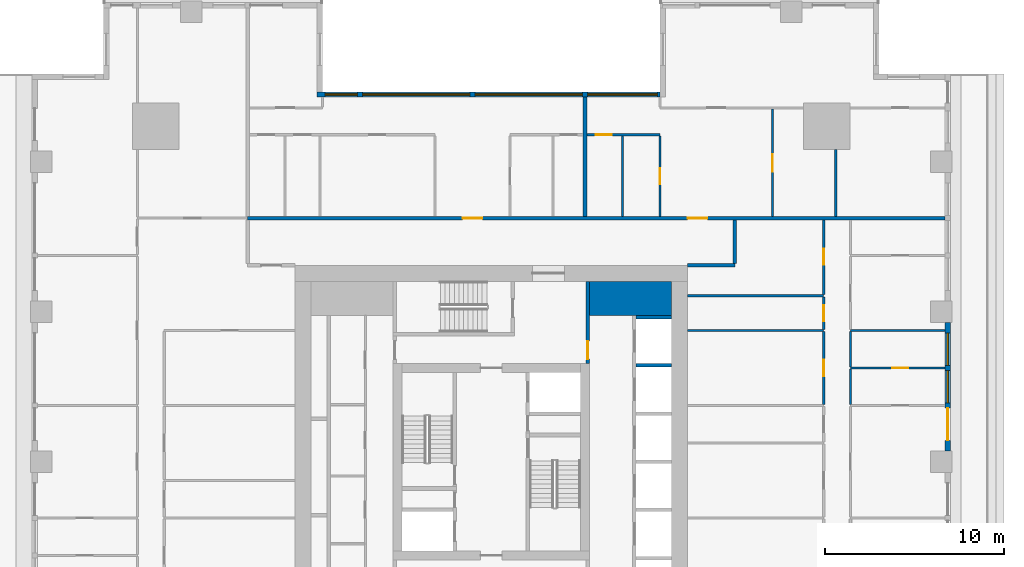
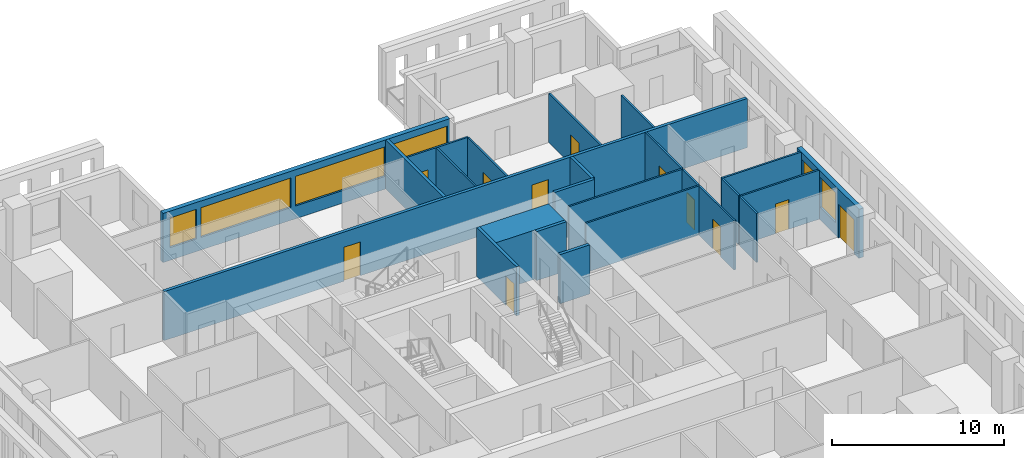
# One storey, part 8 of 15: 24 walls, 11 doors, 6 windows, 17 openings.
"""IFC4 building model written with IfcOpenShell, lengths in metres."""

from ifc_helpers import new_model, si_unit, direction, frame, frame_2d, origin, place, context, subcontext, project, spatial, rectangle, extrude, material, layer, layer_set, type_object, element, fill, save


model = new_model("IFC4")

# Units and contexts
model_context = context("Model", 3, precision=1e-05, world=origin(), true_north=direction((0.0, 1.0)))
body_context = subcontext(model_context, "Body", "Model", "MODEL_VIEW")
ifc_project = project(units=[si_unit("LENGTHUNIT", "METRE"), si_unit("AREAUNIT", "SQUARE_METRE"), si_unit("VOLUMEUNIT", "CUBIC_METRE"), si_unit("PLANEANGLEUNIT", "RADIAN"), si_unit("MASSUNIT", "GRAM", prefix="KILO")], contexts=[model_context])

# Site, building, storey
site_placement = place(None, origin())
site = spatial("IfcSite", under=ifc_project, at=site_placement, CompositionType="ELEMENT")
building_placement = place(site_placement, origin())
building = spatial("IfcBuilding", under=site, at=building_placement, Name="Khepri Terraces", CompositionType="ELEMENT")
storey_placement = place(building_placement, frame((0.0, 0.0, 161.10009765625)))
storey = spatial("IfcBuildingStorey", under=building, at=storey_placement, Name="L38", CompositionType="ELEMENT", Elevation=161.10009765625)

# Walls
ifc_material_1 = material(Name="Concrete C60/75", Category="concrete")
ifc_layer_1 = layer(ifc_material_1, 1.89990234375, Name="Concrete C60/75", Category="concrete")
ifc_layer_set_1 = layer_set([ifc_layer_1], Name="Concrete C60/75")
wall_type_1 = type_object("IfcWallType", Name="Core wall 1900 C60/75", PredefinedType="SHEAR", material=ifc_layer_set_1)
wall_1_placement = place(storey_placement, frame((5.5, 9.14990234375, 0.0), z_axis=(0.0, 0.0, 1.0), x_axis=(1.0, 0.0, 0.0)))
element("IfcWall", 1, at=wall_1_placement, inside=storey, type_object=wall_type_1, Name="Core wall PR04 L38", PredefinedType="SHEAR", context=body_context, shape_type="SweptSolid", body=[
    extrude(rectangle(XDim=4.60009765625, YDim=1.89990234375, at=frame_2d((2.300048828125, 0.0))), origin(), (0.0, 0.0, 1.0), 3.47998046875),
])
ifc_layer_2 = layer(ifc_material_1, 0.199951171875, Name="Concrete C60/75", Category="concrete")
ifc_layer_set_2 = layer_set([ifc_layer_2], Name="Concrete C60/75")
wall_type_2 = type_object("IfcWallType", Name="Core wall 200 C60/75", PredefinedType="SHEAR", material=ifc_layer_set_2)
for number, where, z_axis, x_axis, name in (
    (2, (8.10009765625, 5.39990234375, 0.0), (0.0, 0.0, 1.0), (1.0, 0.0, 0.0), "Core wall SH14 L38"),
    (3, (8.10009765625, 8.10009765625, 0.0), (0.0, 0.0, 1.0), (1.0, 0.0, 0.0), "Core wall SH15 L38"),
):
    element("IfcWall", number, at=place(storey_placement, frame(where, z_axis=z_axis, x_axis=x_axis)), inside=storey, type_object=wall_type_2, Name=name, PredefinedType="SHEAR", context=body_context, shape_type="SweptSolid", body=[
        extrude(rectangle(XDim=2.0, YDim=0.199951171875, at=frame_2d((1.0, 0.0))), origin(), (0.0, 0.0, 1.0), 3.47998046875),
    ])

# Wall, opening, door
ifc_material_2 = material(Name="Fire-rated gypsum board partition")
ifc_layer_3 = layer(ifc_material_2, 0.199951171875, Name="Fire-rated gypsum board partition")
ifc_layer_set_3 = layer_set([ifc_layer_3], Name="Fire-rated gypsum board partition")
wall_type_3 = type_object("IfcWallType", Name="WL-CORE-PART-200", PredefinedType="PARTITIONING", material=ifc_layer_set_3)
wall_2_placement = place(storey_placement, frame((5.39990234375, 5.5, 0.0), z_axis=(0.0, 0.0, 1.0), x_axis=(0.0, 1.0, 0.0)))
wall_2 = element("IfcWall", 4, at=wall_2_placement, inside=storey, type_object=wall_type_3, Name="Core partition PT12 L38", PredefinedType="PARTITIONING", context=body_context, shape_type="SweptSolid", body=[
    extrude(rectangle(XDim=4.60009765625, YDim=0.199951171875, at=frame_2d((2.300048828125, 0.0))), origin(), (0.0, 0.0, 1.0), 3.47998046875),
])
opening_1_placement = place(wall_2_placement, frame((0.25, 0.0, 0.0)))
opening_1 = element("IfcOpeningElement", 5, at=opening_1_placement, cuts=wall_2, Name="Opening L38-C17", PredefinedType="OPENING", context=body_context, shape_type="SweptSolid", body=[
    extrude(rectangle(XDim=1.0, YDim=2.10009765625, at=frame_2d((0.5, 1.050048828125))), frame((0.0, 0.10986328125, 0.0), z_axis=(0.0, -1.0, 0.0), x_axis=(1.0, 0.0, 0.0)), (0.0, 0.0, 1.0), 0.219970703125),
])
ifc_material_3 = material(Name="Painted steel", Category="steel")
door_type_1 = type_object("IfcDoorType", Name="DR-CORE-LOBBY-1000", OperationType="NOTDEFINED", PredefinedType="DOOR", material=ifc_material_3)
door_1_placement = place(opening_1_placement, origin())
door_1 = element("IfcDoor", 6, at=door_1_placement, inside=storey, type_object=door_type_1, Name="Lobby door L38-C17", OperationType="SINGLE_SWING_LEFT", OverallHeight=2.10009765625, OverallWidth=1.0, PredefinedType="DOOR", context=body_context, shape_type="SweptSolid", body=[
    extrude(rectangle(XDim=1.0, YDim=2.10009765625, at=frame_2d((0.5, 1.050048828125))), frame((0.0, 0.02490234375, 0.0), z_axis=(0.0, -1.0, 0.0), x_axis=(1.0, 0.0, 0.0)), (0.0, 0.0, 1.0), 0.050048828125),
])
fill(opening_1, door_1)

# Walls
ifc_material_4 = material(Name="Fire-rated gypsum plasterboard partition, mineral wool")
ifc_layer_4 = layer(ifc_material_4, 0.199951171875, Name="Fire-rated gypsum plasterboard partition, mineral wool")
ifc_layer_set_4 = layer_set([ifc_layer_4], Name="Fire-rated gypsum plasterboard partition, mineral wool")
wall_type_4 = type_object("IfcWallType", Name="WL-CORR-200", PredefinedType="PARTITIONING", material=ifc_layer_set_4)
wall_3_placement = place(storey_placement, frame((11.0, 11.0, 0.0), z_axis=(0.0, 0.0, 1.0), x_axis=(1.0, 0.0, 0.0)))
element("IfcWall", 7, at=wall_3_placement, inside=storey, type_object=wall_type_4, Name="Partition P-076 L38", PredefinedType="PARTITIONING", context=body_context, shape_type="SweptSolid", body=[
    extrude(rectangle(XDim=2.64990234375, YDim=0.199951171875, at=frame_2d((1.324951171875, 0.0))), origin(), (0.0, 0.0, 1.0), 3.47998046875),
])
wall_4_placement = place(storey_placement, frame((13.64990234375, 11.10009765625, 0.0), z_axis=(0.0, 0.0, 1.0), x_axis=(0.0, 1.0, 0.0)))
element("IfcWall", 8, at=wall_4_placement, inside=storey, type_object=wall_type_4, Name="Partition P-078 L38", PredefinedType="PARTITIONING", context=body_context, shape_type="SweptSolid", body=[
    extrude(rectangle(XDim=2.449951171875, YDim=0.199951171875, at=frame_2d((1.22509765625, 0.0))), origin(), (0.0, 0.0, 1.0), 3.47998046875),
])

# Wall, openings, doors
wall_5_placement = place(storey_placement, frame((-13.64990234375, 13.64990234375, 0.0), z_axis=(0.0, 0.0, 1.0), x_axis=(1.0, 0.0, 0.0)))
wall_5 = element("IfcWall", 9, at=wall_5_placement, inside=storey, type_object=wall_type_4, Name="Partition P-084 L38", PredefinedType="PARTITIONING", context=body_context, shape_type="SweptSolid", body=[
    extrude(rectangle(XDim=39.06982421875, YDim=0.199951171875, at=frame_2d((19.534912109375, 0.0))), origin(), (0.0, 0.0, 1.0), 3.47998046875),
])
opening_2_placement = place(wall_5_placement, frame((24.64990234375, 0.0, 0.0)))
opening_2 = element("IfcOpeningElement", 10, at=opening_2_placement, cuts=wall_5, Name="Opening D1", PredefinedType="OPENING", context=body_context, shape_type="SweptSolid", body=[
    extrude(rectangle(XDim=1.10009765625, YDim=2.39990234375, at=frame_2d((0.550048828125, 1.199951171875))), frame((0.0, 0.10986328125, 0.0), z_axis=(0.0, -1.0, 0.0), x_axis=(1.0, 0.0, 0.0)), (0.0, 0.0, 1.0), 0.219970703125),
])
opening_3_placement = place(wall_5_placement, frame((12.050048828125, 0.0, 0.0)))
opening_3 = element("IfcOpeningElement", 11, at=opening_3_placement, cuts=wall_5, Name="Opening D1", PredefinedType="OPENING", context=body_context, shape_type="SweptSolid", body=[
    extrude(rectangle(XDim=1.10009765625, YDim=2.39990234375, at=frame_2d((0.550048828125, 1.199951171875))), frame((0.0, 0.10986328125, 0.0), z_axis=(0.0, -1.0, 0.0), x_axis=(1.0, 0.0, 0.0)), (0.0, 0.0, 1.0), 0.219970703125),
])
ifc_material_5 = material(Name="Solid-core timber door leaf, flat entrance door", Category="wood")
door_type_2 = type_object("IfcDoorType", Name="DR-ENT-1100", OperationType="NOTDEFINED", PredefinedType="DOOR", material=ifc_material_5)
door_2_placement = place(opening_2_placement, origin())
door_2 = element("IfcDoor", 12, at=door_2_placement, inside=storey, type_object=door_type_2, Name="Flat C1 entrance door", OperationType="SINGLE_SWING_RIGHT", OverallHeight=2.39990234375, OverallWidth=1.10009765625, PredefinedType="DOOR", context=body_context, shape_type="SweptSolid", body=[
    extrude(rectangle(XDim=1.10009765625, YDim=2.39990234375, at=frame_2d((0.550048828125, 1.199951171875))), frame((0.0, 0.02490234375, 0.0), z_axis=(0.0, -1.0, 0.0), x_axis=(1.0, 0.0, 0.0)), (0.0, 0.0, 1.0), 0.050048828125),
])
fill(opening_2, door_2)
door_3_placement = place(opening_3_placement, origin())
door_3 = element("IfcDoor", 13, at=door_3_placement, inside=storey, type_object=door_type_2, Name="Flat C2 entrance door", OperationType="SINGLE_SWING_LEFT", OverallHeight=2.39990234375, OverallWidth=1.10009765625, PredefinedType="DOOR", context=body_context, shape_type="SweptSolid", body=[
    extrude(rectangle(XDim=1.10009765625, YDim=2.39990234375, at=frame_2d((0.550048828125, 1.199951171875))), frame((0.0, 0.02490234375, 0.0), z_axis=(0.0, -1.0, 0.0), x_axis=(1.0, 0.0, 0.0)), (0.0, 0.0, 1.0), 0.050048828125),
])
fill(opening_3, door_3)

# Wall
wall_6_placement = place(storey_placement, frame((5.25, 13.75, 0.0), z_axis=(0.0, 0.0, 1.0), x_axis=(0.0, 1.0, 0.0)))
element("IfcWall", 14, at=wall_6_placement, inside=storey, type_object=wall_type_4, Name="Partition P-092 L38", PredefinedType="PARTITIONING", context=body_context, shape_type="SweptSolid", body=[
    extrude(rectangle(XDim=6.669921875, YDim=0.199951171875, at=frame_2d((3.3349609375, 0.0))), origin(), (0.0, 0.0, 1.0), 3.47998046875),
])

# Wall, openings, door, windows
ifc_material_6 = material(Name="Precast concrete C50/60 warm stone", Category="masonry")
ifc_layer_5 = layer(ifc_material_6, 0.300048828125, Name="Precast concrete C50/60 warm stone", Category="masonry")
ifc_layer_set_5 = layer_set([ifc_layer_5], Name="Precast concrete C50/60 warm stone")
wall_type_5 = type_object("IfcWallType", Name="WL-EXT-PRECAST-300", PredefinedType="STANDARD", material=ifc_layer_set_5)
wall_7_placement = place(storey_placement, frame((25.570068359375, 0.60009765625, 0.0), z_axis=(0.0, 0.0, 1.0), x_axis=(0.0, 1.0, 0.0)))
wall_7 = element("IfcWall", 15, at=wall_7_placement, inside=storey, type_object=wall_type_5, Name="External wall L38 E", PredefinedType="STANDARD", context=body_context, shape_type="SweptSolid", body=[
    extrude(rectangle(XDim=7.199951171875, YDim=0.300048828125, at=frame_2d((3.60009765625, 0.0))), origin(), (0.0, 0.0, 1.0), 3.47998046875),
])
opening_4_placement = place(wall_7_placement, frame((0.60009765625, 0.0, 0.0)))
opening_4 = element("IfcOpeningElement", 16, at=opening_4_placement, cuts=wall_7, Name="Opening ED-L38-06", PredefinedType="OPENING", context=body_context, shape_type="SweptSolid", body=[
    extrude(rectangle(XDim=1.800048828125, YDim=2.39990234375, at=frame_2d((0.89990234375, 1.199951171875))), frame((0.0, 0.16015625, 0.0), z_axis=(0.0, -1.0, 0.0), x_axis=(1.0, 0.0, 0.0)), (0.0, 0.0, 1.0), 0.320068359375),
])
opening_5_placement = place(wall_7_placement, frame((2.699951171875, 0.0, 0.89990234375)))
opening_5 = element("IfcOpeningElement", 17, at=opening_5_placement, cuts=wall_7, Name="Opening W1", PredefinedType="OPENING", context=body_context, shape_type="SweptSolid", body=[
    extrude(rectangle(XDim=1.800048828125, YDim=2.10009765625, at=frame_2d((0.89990234375, 1.050048828125))), frame((0.0, 0.16015625, 0.0), z_axis=(0.0, -1.0, 0.0), x_axis=(1.0, 0.0, 0.0)), (0.0, 0.0, 1.0), 0.320068359375),
])
opening_6_placement = place(wall_7_placement, frame((4.800048828125, 0.0, 0.89990234375)))
opening_6 = element("IfcOpeningElement", 18, at=opening_6_placement, cuts=wall_7, Name="Opening W1", PredefinedType="OPENING", context=body_context, shape_type="SweptSolid", body=[
    extrude(rectangle(XDim=1.800048828125, YDim=2.10009765625, at=frame_2d((0.89990234375, 1.050048828125))), frame((0.0, 0.16015625, 0.0), z_axis=(0.0, -1.0, 0.0), x_axis=(1.0, 0.0, 0.0)), (0.0, 0.0, 1.0), 0.320068359375),
])
ifc_material_7 = material(Name="Anodised aluminium bronze glazed door", Category="aluminium")
door_type_3 = type_object("IfcDoorType", Name="DR-BAL-SLIDE-1800x2400", OperationType="NOTDEFINED", PredefinedType="DOOR", material=ifc_material_7)
door_4_placement = place(opening_4_placement, origin())
door_4 = element("IfcDoor", 19, at=door_4_placement, inside=storey, type_object=door_type_3, Name="Balcony door L38 E", OperationType="SLIDING_TO_LEFT", OverallHeight=2.39990234375, OverallWidth=1.800048828125, PredefinedType="DOOR", context=body_context, shape_type="SweptSolid", body=[
    extrude(rectangle(XDim=1.800048828125, YDim=2.39990234375, at=frame_2d((0.89990234375, 1.199951171875))), frame((0.0, 0.02490234375, 0.0), z_axis=(0.0, -1.0, 0.0), x_axis=(1.0, 0.0, 0.0)), (0.0, 0.0, 1.0), 0.050048828125),
])
fill(opening_4, door_4)
ifc_material_8 = material(Name="Clear glass", Category="glass")
window_type_1 = type_object("IfcWindowType", Name="WIN-RES-1800x2100", PartitioningType="SINGLE_PANEL", PredefinedType="WINDOW", material=ifc_material_8)
window_1_placement = place(opening_5_placement, origin())
window_1 = element("IfcWindow", 20, at=window_1_placement, inside=storey, type_object=window_type_1, Name="Window L38 E", OverallHeight=2.10009765625, OverallWidth=1.800048828125, PartitioningType="SINGLE_PANEL", PredefinedType="WINDOW", context=body_context, shape_type="SweptSolid", body=[
    extrude(rectangle(XDim=1.800048828125, YDim=2.10009765625, at=frame_2d((0.89990234375, 1.050048828125))), frame((0.0, 0.030029296875, 0.0), z_axis=(0.0, -1.0, 0.0), x_axis=(1.0, 0.0, 0.0)), (0.0, 0.0, 1.0), 0.06005859375),
])
fill(opening_5, window_1)
window_2_placement = place(opening_6_placement, origin())
window_2 = element("IfcWindow", 21, at=window_2_placement, inside=storey, type_object=window_type_1, Name="Window L38 E", OverallHeight=2.10009765625, OverallWidth=1.800048828125, PartitioningType="SINGLE_PANEL", PredefinedType="WINDOW", context=body_context, shape_type="SweptSolid", body=[
    extrude(rectangle(XDim=1.800048828125, YDim=2.10009765625, at=frame_2d((0.89990234375, 1.050048828125))), frame((0.0, 0.030029296875, 0.0), z_axis=(0.0, -1.0, 0.0), x_axis=(1.0, 0.0, 0.0)), (0.0, 0.0, 1.0), 0.06005859375),
])
fill(opening_6, window_2)

# Wall, openings, windows
wall_8_placement = place(storey_placement, frame((9.449951171875, 20.570068359375, 0.0), z_axis=(0.0, 0.0, 1.0), x_axis=(-1.0, 0.0, 0.0)))
wall_8 = element("IfcWall", 22, at=wall_8_placement, inside=storey, type_object=wall_type_5, Name="External wall L38 N", PredefinedType="STANDARD", context=body_context, shape_type="SweptSolid", body=[
    extrude(rectangle(XDim=19.199951171875, YDim=0.300048828125, at=frame_2d((9.60009765625, 0.0))), origin(), (0.0, 0.0, 1.0), 3.47998046875),
])
opening_7_placement = place(wall_8_placement, frame((0.14990234375, 0.0, 0.89990234375)))
opening_7 = element("IfcOpeningElement", 23, at=opening_7_placement, cuts=wall_8, Name="Opening W2", PredefinedType="OPENING", context=body_context, shape_type="SweptSolid", body=[
    extrude(rectangle(XDim=3.89990234375, YDim=2.10009765625, at=frame_2d((1.949951171875, 1.050048828125))), frame((0.0, 0.16015625, 0.0), z_axis=(0.0, -1.0, 0.0), x_axis=(1.0, 0.0, 0.0)), (0.0, 0.0, 1.0), 0.320068359375),
])
opening_8_placement = place(wall_8_placement, frame((4.35009765625, 0.0, 0.89990234375)))
opening_8 = element("IfcOpeningElement", 24, at=opening_8_placement, cuts=wall_8, Name="Opening W3", PredefinedType="OPENING", context=body_context, shape_type="SweptSolid", body=[
    extrude(rectangle(XDim=6.0, YDim=2.10009765625, at=frame_2d((3.0, 1.050048828125))), frame((0.0, 0.16015625, 0.0), z_axis=(0.0, -1.0, 0.0), x_axis=(1.0, 0.0, 0.0)), (0.0, 0.0, 1.0), 0.320068359375),
])
opening_9_placement = place(wall_8_placement, frame((10.64990234375, 0.0, 0.89990234375)))
opening_9 = element("IfcOpeningElement", 25, at=opening_9_placement, cuts=wall_8, Name="Opening W3", PredefinedType="OPENING", context=body_context, shape_type="SweptSolid", body=[
    extrude(rectangle(XDim=6.0, YDim=2.10009765625, at=frame_2d((3.0, 1.050048828125))), frame((0.0, 0.16015625, 0.0), z_axis=(0.0, -1.0, 0.0), x_axis=(1.0, 0.0, 0.0)), (0.0, 0.0, 1.0), 0.320068359375),
])
opening_10_placement = place(wall_8_placement, frame((16.949951171875, 0.0, 0.89990234375)))
opening_10 = element("IfcOpeningElement", 26, at=opening_10_placement, cuts=wall_8, Name="Opening W1", PredefinedType="OPENING", context=body_context, shape_type="SweptSolid", body=[
    extrude(rectangle(XDim=1.800048828125, YDim=2.10009765625, at=frame_2d((0.89990234375, 1.050048828125))), frame((0.0, 0.16015625, 0.0), z_axis=(0.0, -1.0, 0.0), x_axis=(1.0, 0.0, 0.0)), (0.0, 0.0, 1.0), 0.320068359375),
])
window_3_placement = place(opening_10_placement, origin())
window_3 = element("IfcWindow", 27, at=window_3_placement, inside=storey, type_object=window_type_1, Name="Window L38 N", OverallHeight=2.10009765625, OverallWidth=1.800048828125, PartitioningType="SINGLE_PANEL", PredefinedType="WINDOW", context=body_context, shape_type="SweptSolid", body=[
    extrude(rectangle(XDim=1.800048828125, YDim=2.10009765625, at=frame_2d((0.89990234375, 1.050048828125))), frame((0.0, 0.030029296875, 0.0), z_axis=(0.0, -1.0, 0.0), x_axis=(1.0, 0.0, 0.0)), (0.0, 0.0, 1.0), 0.06005859375),
])
fill(opening_10, window_3)
window_type_2 = type_object("IfcWindowType", Name="WIN-RES-3900x2100", PartitioningType="SINGLE_PANEL", PredefinedType="WINDOW", material=ifc_material_8)
window_4_placement = place(opening_7_placement, origin())
window_4 = element("IfcWindow", 28, at=window_4_placement, inside=storey, type_object=window_type_2, Name="Window L38 N", OverallHeight=2.10009765625, OverallWidth=3.89990234375, PartitioningType="SINGLE_PANEL", PredefinedType="WINDOW", context=body_context, shape_type="SweptSolid", body=[
    extrude(rectangle(XDim=3.89990234375, YDim=2.10009765625, at=frame_2d((1.949951171875, 1.050048828125))), frame((0.0, 0.030029296875, 0.0), z_axis=(0.0, -1.0, 0.0), x_axis=(1.0, 0.0, 0.0)), (0.0, 0.0, 1.0), 0.06005859375),
])
fill(opening_7, window_4)
window_type_3 = type_object("IfcWindowType", Name="WIN-RES-6000x2100", PartitioningType="SINGLE_PANEL", PredefinedType="WINDOW", material=ifc_material_8)
window_5_placement = place(opening_8_placement, origin())
window_5 = element("IfcWindow", 29, at=window_5_placement, inside=storey, type_object=window_type_3, Name="Window L38 N", OverallHeight=2.10009765625, OverallWidth=6.0, PartitioningType="SINGLE_PANEL", PredefinedType="WINDOW", context=body_context, shape_type="SweptSolid", body=[
    extrude(rectangle(XDim=6.0, YDim=2.10009765625, at=frame_2d((3.0, 1.050048828125))), frame((0.0, 0.030029296875, 0.0), z_axis=(0.0, -1.0, 0.0), x_axis=(1.0, 0.0, 0.0)), (0.0, 0.0, 1.0), 0.06005859375),
])
fill(opening_8, window_5)
window_6_placement = place(opening_9_placement, origin())
window_6 = element("IfcWindow", 30, at=window_6_placement, inside=storey, type_object=window_type_3, Name="Window L38 N", OverallHeight=2.10009765625, OverallWidth=6.0, PartitioningType="SINGLE_PANEL", PredefinedType="WINDOW", context=body_context, shape_type="SweptSolid", body=[
    extrude(rectangle(XDim=6.0, YDim=2.10009765625, at=frame_2d((3.0, 1.050048828125))), frame((0.0, 0.030029296875, 0.0), z_axis=(0.0, -1.0, 0.0), x_axis=(1.0, 0.0, 0.0)), (0.0, 0.0, 1.0), 0.06005859375),
])
fill(opening_9, window_6)

# Wall, opening, door
ifc_material_9 = material(Name="Gypsum plasterboard partition")
ifc_layer_6 = layer(ifc_material_9, 0.1201171875, Name="Gypsum plasterboard partition")
ifc_layer_set_6 = layer_set([ifc_layer_6], Name="Gypsum plasterboard partition")
wall_type_6 = type_object("IfcWallType", Name="WL-PART-120", PredefinedType="PARTITIONING", material=ifc_layer_set_6)
wall_9_placement = place(storey_placement, frame((18.6201171875, 3.2099609375, 0.0), z_axis=(0.0, 0.0, 1.0), x_axis=(0.0, 1.0, 0.0)))
wall_9 = element("IfcWall", 31, at=wall_9_placement, inside=storey, type_object=wall_type_6, Name="Partition P-064 L38", PredefinedType="PARTITIONING", context=body_context, shape_type="SweptSolid", body=[
    extrude(rectangle(XDim=4.080078125, YDim=0.1201171875, at=frame_2d((2.0400390625, 0.0))), origin(), (0.0, 0.0, 1.0), 3.47998046875),
])
opening_11_placement = place(wall_9_placement, frame((1.590087890625, 0.0, 0.0)))
opening_11 = element("IfcOpeningElement", 32, at=opening_11_placement, cuts=wall_9, Name="Opening D3", PredefinedType="OPENING", context=body_context, shape_type="SweptSolid", body=[
    extrude(rectangle(XDim=0.89990234375, YDim=2.10009765625, at=frame_2d((0.449951171875, 1.050048828125))), frame((0.0, 0.070068359375, 0.0), z_axis=(0.0, -1.0, 0.0), x_axis=(1.0, 0.0, 0.0)), (0.0, 0.0, 1.0), 0.14013671875),
])
ifc_material_10 = material(Name="Timber door leaf", Category="wood")
door_type_4 = type_object("IfcDoorType", Name="DR-INT-900", OperationType="NOTDEFINED", PredefinedType="DOOR", material=ifc_material_10)
door_5_placement = place(opening_11_placement, origin())
door_5 = element("IfcDoor", 33, at=door_5_placement, inside=storey, type_object=door_type_4, Name="Door Staff Bedroom", OperationType="SINGLE_SWING_RIGHT", OverallHeight=2.10009765625, OverallWidth=0.89990234375, PredefinedType="DOOR", context=body_context, shape_type="SweptSolid", body=[
    extrude(rectangle(XDim=0.89990234375, YDim=2.10009765625, at=frame_2d((0.449951171875, 1.050048828125))), frame((0.0, 0.02490234375, 0.0), z_axis=(0.0, -1.0, 0.0), x_axis=(1.0, 0.0, 0.0)), (0.0, 0.0, 1.0), 0.050048828125),
])
fill(opening_11, door_5)

# Wall
wall_10_placement = place(storey_placement, frame((20.1201171875, 3.2099609375, 0.0), z_axis=(0.0, 0.0, 1.0), x_axis=(0.0, 1.0, 0.0)))
element("IfcWall", 34, at=wall_10_placement, inside=storey, type_object=wall_type_6, Name="Partition P-065 L38", PredefinedType="PARTITIONING", context=body_context, shape_type="SweptSolid", body=[
    extrude(rectangle(XDim=1.97998046875, YDim=0.1201171875, at=frame_2d((0.989990234375, 0.0))), origin(), (0.0, 0.0, 1.0), 3.47998046875),
])

# Wall, opening, door
wall_11_placement = place(storey_placement, frame((20.1201171875, 5.25, 0.0), z_axis=(0.0, 0.0, 1.0), x_axis=(1.0, 0.0, 0.0)))
wall_11 = element("IfcWall", 35, at=wall_11_placement, inside=storey, type_object=wall_type_6, Name="Partition P-066 L38", PredefinedType="PARTITIONING", context=body_context, shape_type="SweptSolid", body=[
    extrude(rectangle(XDim=5.2998046875, YDim=0.1201171875, at=frame_2d((2.64990234375, 0.0))), origin(), (0.0, 0.0, 1.0), 3.47998046875),
])
opening_12_placement = place(wall_11_placement, frame((2.35009765625, 0.0, 0.0)))
opening_12 = element("IfcOpeningElement", 36, at=opening_12_placement, cuts=wall_11, Name="Opening D4", PredefinedType="OPENING", context=body_context, shape_type="SweptSolid", body=[
    extrude(rectangle(XDim=0.89990234375, YDim=2.10009765625, at=frame_2d((0.449951171875, 1.050048828125))), frame((0.0, 0.070068359375, 0.0), z_axis=(0.0, -1.0, 0.0), x_axis=(1.0, 0.0, 0.0)), (0.0, 0.0, 1.0), 0.14013671875),
])
ifc_material_11 = material(Name="Timber door leaf, moisture resistant", Category="wood")
door_type_5 = type_object("IfcDoorType", Name="DR-WET-900", OperationType="NOTDEFINED", PredefinedType="DOOR", material=ifc_material_11)
door_6_placement = place(opening_12_placement, origin())
door_6 = element("IfcDoor", 37, at=door_6_placement, inside=storey, type_object=door_type_5, Name="Door Bathroom", OperationType="SINGLE_SWING_RIGHT", OverallHeight=2.10009765625, OverallWidth=0.89990234375, PredefinedType="DOOR", context=body_context, shape_type="SweptSolid", body=[
    extrude(rectangle(XDim=0.89990234375, YDim=2.10009765625, at=frame_2d((0.449951171875, 1.050048828125))), frame((0.0, 0.02490234375, 0.0), z_axis=(0.0, -1.0, 0.0), x_axis=(1.0, 0.0, 0.0)), (0.0, 0.0, 1.0), 0.050048828125),
])
fill(opening_12, door_6)

# Walls
wall_12_placement = place(storey_placement, frame((20.1201171875, 5.31005859375, 0.0), z_axis=(0.0, 0.0, 1.0), x_axis=(0.0, 1.0, 0.0)))
element("IfcWall", 38, at=wall_12_placement, inside=storey, type_object=wall_type_6, Name="Partition P-067 L38", PredefinedType="PARTITIONING", context=body_context, shape_type="SweptSolid", body=[
    extrude(rectangle(XDim=1.97998046875, YDim=0.1201171875, at=frame_2d((0.989990234375, 0.0))), origin(), (0.0, 0.0, 1.0), 3.47998046875),
])
wall_13_placement = place(storey_placement, frame((11.0, 7.35009765625, 0.0), z_axis=(0.0, 0.0, 1.0), x_axis=(1.0, 0.0, 0.0)))
element("IfcWall", 39, at=wall_13_placement, inside=storey, type_object=wall_type_6, Name="Partition P-069 L38", PredefinedType="PARTITIONING", context=body_context, shape_type="SweptSolid", body=[
    extrude(rectangle(XDim=7.6201171875, YDim=0.1201171875, at=frame_2d((3.81005859375, 0.0))), origin(), (0.0, 0.0, 1.0), 3.47998046875),
])
wall_14_placement = place(storey_placement, frame((20.1201171875, 7.35009765625, 0.0), z_axis=(0.0, 0.0, 1.0), x_axis=(1.0, 0.0, 0.0)))
element("IfcWall", 40, at=wall_14_placement, inside=storey, type_object=wall_type_6, Name="Partition P-070 L38", PredefinedType="PARTITIONING", context=body_context, shape_type="SweptSolid", body=[
    extrude(rectangle(XDim=5.2998046875, YDim=0.1201171875, at=frame_2d((2.64990234375, 0.0))), origin(), (0.0, 0.0, 1.0), 3.47998046875),
])

# Wall, opening, door
wall_15_placement = place(storey_placement, frame((18.6201171875, 7.409912109375, 0.0), z_axis=(0.0, 0.0, 1.0), x_axis=(0.0, 1.0, 0.0)))
wall_15 = element("IfcWall", 41, at=wall_15_placement, inside=storey, type_object=wall_type_6, Name="Partition P-071 L38", PredefinedType="PARTITIONING", context=body_context, shape_type="SweptSolid", body=[
    extrude(rectangle(XDim=1.830078125, YDim=0.1201171875, at=frame_2d((0.9150390625, 0.0))), origin(), (0.0, 0.0, 1.0), 3.47998046875),
])
opening_13_placement = place(wall_15_placement, frame((0.465087890625, 0.0, 0.0)))
opening_13 = element("IfcOpeningElement", 42, at=opening_13_placement, cuts=wall_15, Name="Opening D4", PredefinedType="OPENING", context=body_context, shape_type="SweptSolid", body=[
    extrude(rectangle(XDim=0.89990234375, YDim=2.10009765625, at=frame_2d((0.449951171875, 1.050048828125))), frame((0.0, 0.070068359375, 0.0), z_axis=(0.0, -1.0, 0.0), x_axis=(1.0, 0.0, 0.0)), (0.0, 0.0, 1.0), 0.14013671875),
])
door_7_placement = place(opening_13_placement, origin())
door_7 = element("IfcDoor", 43, at=door_7_placement, inside=storey, type_object=door_type_5, Name="Door Guest Bathroom", OperationType="SINGLE_SWING_LEFT", OverallHeight=2.10009765625, OverallWidth=0.89990234375, PredefinedType="DOOR", context=body_context, shape_type="SweptSolid", body=[
    extrude(rectangle(XDim=0.89990234375, YDim=2.10009765625, at=frame_2d((0.449951171875, 1.050048828125))), frame((0.0, 0.02490234375, 0.0), z_axis=(0.0, -1.0, 0.0), x_axis=(1.0, 0.0, 0.0)), (0.0, 0.0, 1.0), 0.050048828125),
])
fill(opening_13, door_7)

# Wall
wall_16_placement = place(storey_placement, frame((11.0, 9.300048828125, 0.0), z_axis=(0.0, 0.0, 1.0), x_axis=(1.0, 0.0, 0.0)))
element("IfcWall", 44, at=wall_16_placement, inside=storey, type_object=wall_type_6, Name="Partition P-073 L38", PredefinedType="PARTITIONING", context=body_context, shape_type="SweptSolid", body=[
    extrude(rectangle(XDim=7.6201171875, YDim=0.1201171875, at=frame_2d((3.81005859375, 0.0))), origin(), (0.0, 0.0, 1.0), 3.47998046875),
])

# Wall, opening, door
wall_17_placement = place(storey_placement, frame((18.6201171875, 9.360107421875, 0.0), z_axis=(0.0, 0.0, 1.0), x_axis=(0.0, 1.0, 0.0)))
wall_17 = element("IfcWall", 45, at=wall_17_placement, inside=storey, type_object=wall_type_6, Name="Partition P-074 L38", PredefinedType="PARTITIONING", context=body_context, shape_type="SweptSolid", body=[
    extrude(rectangle(XDim=4.18994140625, YDim=0.1201171875, at=frame_2d((2.094970703125, 0.0))), origin(), (0.0, 0.0, 1.0), 3.47998046875),
])
opening_14_placement = place(wall_17_placement, frame((1.6650390625, 0.0, 0.0)))
opening_14 = element("IfcOpeningElement", 46, at=opening_14_placement, cuts=wall_17, Name="Opening D3", PredefinedType="OPENING", context=body_context, shape_type="SweptSolid", body=[
    extrude(rectangle(XDim=0.89990234375, YDim=2.10009765625, at=frame_2d((0.449951171875, 1.050048828125))), frame((0.0, 0.070068359375, 0.0), z_axis=(0.0, -1.0, 0.0), x_axis=(1.0, 0.0, 0.0)), (0.0, 0.0, 1.0), 0.14013671875),
])
door_8_placement = place(opening_14_placement, origin())
door_8 = element("IfcDoor", 47, at=door_8_placement, inside=storey, type_object=door_type_4, Name="Door Utility Room", OperationType="SINGLE_SWING_RIGHT", OverallHeight=2.10009765625, OverallWidth=0.89990234375, PredefinedType="DOOR", context=body_context, shape_type="SweptSolid", body=[
    extrude(rectangle(XDim=0.89990234375, YDim=2.10009765625, at=frame_2d((0.449951171875, 1.050048828125))), frame((0.0, 0.02490234375, 0.0), z_axis=(0.0, -1.0, 0.0), x_axis=(1.0, 0.0, 0.0)), (0.0, 0.0, 1.0), 0.050048828125),
])
fill(opening_14, door_8)

# Wall
wall_18_placement = place(storey_placement, frame((7.35009765625, 13.75, 0.0), z_axis=(0.0, 0.0, 1.0), x_axis=(0.0, 1.0, 0.0)))
element("IfcWall", 48, at=wall_18_placement, inside=storey, type_object=wall_type_6, Name="Partition P-093 L38", PredefinedType="PARTITIONING", context=body_context, shape_type="SweptSolid", body=[
    extrude(rectangle(XDim=4.510009765625, YDim=0.1201171875, at=frame_2d((2.2548828125, 0.0))), origin(), (0.0, 0.0, 1.0), 3.47998046875),
])

# Wall, opening, door
wall_19_placement = place(storey_placement, frame((9.449951171875, 13.75, 0.0), z_axis=(0.0, 0.0, 1.0), x_axis=(0.0, 1.0, 0.0)))
wall_19 = element("IfcWall", 49, at=wall_19_placement, inside=storey, type_object=wall_type_6, Name="Partition P-094 L38", PredefinedType="PARTITIONING", context=body_context, shape_type="SweptSolid", body=[
    extrude(rectangle(XDim=4.510009765625, YDim=0.1201171875, at=frame_2d((2.2548828125, 0.0))), origin(), (0.0, 0.0, 1.0), 3.47998046875),
])
opening_15_placement = place(wall_19_placement, frame((1.784912109375, 0.0, 0.0)))
opening_15 = element("IfcOpeningElement", 50, at=opening_15_placement, cuts=wall_19, Name="Opening D4", PredefinedType="OPENING", context=body_context, shape_type="SweptSolid", body=[
    extrude(rectangle(XDim=0.89990234375, YDim=2.10009765625, at=frame_2d((0.449951171875, 1.050048828125))), frame((0.0, 0.070068359375, 0.0), z_axis=(0.0, -1.0, 0.0), x_axis=(1.0, 0.0, 0.0)), (0.0, 0.0, 1.0), 0.14013671875),
])
door_9_placement = place(opening_15_placement, origin())
door_9 = element("IfcDoor", 51, at=door_9_placement, inside=storey, type_object=door_type_5, Name="Door Guest Bathroom", OperationType="SINGLE_SWING_LEFT", OverallHeight=2.10009765625, OverallWidth=0.89990234375, PredefinedType="DOOR", context=body_context, shape_type="SweptSolid", body=[
    extrude(rectangle(XDim=0.89990234375, YDim=2.10009765625, at=frame_2d((0.449951171875, 1.050048828125))), frame((0.0, 0.02490234375, 0.0), z_axis=(0.0, -1.0, 0.0), x_axis=(1.0, 0.0, 0.0)), (0.0, 0.0, 1.0), 0.050048828125),
])
fill(opening_15, door_9)

wall_20_placement = place(storey_placement, frame((15.75, 13.75, 0.0), z_axis=(0.0, 0.0, 1.0), x_axis=(0.0, 1.0, 0.0)))
wall_20 = element("IfcWall", 52, at=wall_20_placement, inside=storey, type_object=wall_type_6, Name="Partition P-095 L38", PredefinedType="PARTITIONING", context=body_context, shape_type="SweptSolid", body=[
    extrude(rectangle(XDim=6.010009765625, YDim=0.1201171875, at=frame_2d((3.0048828125, 0.0))), origin(), (0.0, 0.0, 1.0), 3.47998046875),
])
opening_16_placement = place(wall_20_placement, frame((2.485107421875, 0.0, 0.0)))
opening_16 = element("IfcOpeningElement", 53, at=opening_16_placement, cuts=wall_20, Name="Opening D2", PredefinedType="OPENING", context=body_context, shape_type="SweptSolid", body=[
    extrude(rectangle(XDim=1.0, YDim=2.10009765625, at=frame_2d((0.5, 1.050048828125))), frame((0.0, 0.070068359375, 0.0), z_axis=(0.0, -1.0, 0.0), x_axis=(1.0, 0.0, 0.0)), (0.0, 0.0, 1.0), 0.14013671875),
])
ifc_material_12 = material(Name="Timber door leaf, living room door", Category="wood")
door_type_6 = type_object("IfcDoorType", Name="DR-INT-1000", OperationType="NOTDEFINED", PredefinedType="DOOR", material=ifc_material_12)
door_10_placement = place(opening_16_placement, frame((1.0, 0.0, 0.0), z_axis=(0.0, 0.0, 1.0), x_axis=(-1.0, 0.0, 0.0)))
door_10 = element("IfcDoor", 54, at=door_10_placement, inside=storey, type_object=door_type_6, Name="Door Family Room", OperationType="SINGLE_SWING_RIGHT", OverallHeight=2.10009765625, OverallWidth=1.0, PredefinedType="DOOR", context=body_context, shape_type="SweptSolid", body=[
    extrude(rectangle(XDim=1.0, YDim=2.10009765625, at=frame_2d((0.5, 1.050048828125))), frame((0.0, 0.02490234375, 0.0), z_axis=(0.0, -1.0, 0.0), x_axis=(1.0, 0.0, 0.0)), (0.0, 0.0, 1.0), 0.050048828125),
])
fill(opening_16, door_10)

# Wall
wall_21_placement = place(storey_placement, frame((19.2958984375, 13.75, 0.0), z_axis=(0.0, 0.0, 1.0), x_axis=(0.0, 1.0, 0.0)))
element("IfcWall", 55, at=wall_21_placement, inside=storey, type_object=wall_type_6, Name="Partition P-096 L38", PredefinedType="PARTITIONING", context=body_context, shape_type="SweptSolid", body=[
    extrude(rectangle(XDim=3.75, YDim=0.1201171875, at=frame_2d((1.875, 0.0))), origin(), (0.0, 0.0, 1.0), 3.47998046875),
])

# Wall, opening, door
wall_22_placement = place(storey_placement, frame((5.35009765625, 18.320068359375, 0.0), z_axis=(0.0, 0.0, 1.0), x_axis=(1.0, 0.0, 0.0)))
wall_22 = element("IfcWall", 56, at=wall_22_placement, inside=storey, type_object=wall_type_6, Name="Partition P-099 L38", PredefinedType="PARTITIONING", context=body_context, shape_type="SweptSolid", body=[
    extrude(rectangle(XDim=4.099853515625, YDim=0.1201171875, at=frame_2d((2.0498046875, 0.0))), origin(), (0.0, 0.0, 1.0), 3.47998046875),
])
opening_17_placement = place(wall_22_placement, frame((0.5, 0.0, 0.0)))
opening_17 = element("IfcOpeningElement", 57, at=opening_17_placement, cuts=wall_22, Name="Opening D3", PredefinedType="OPENING", context=body_context, shape_type="SweptSolid", body=[
    extrude(rectangle(XDim=0.89990234375, YDim=2.10009765625, at=frame_2d((0.449951171875, 1.050048828125))), frame((0.0, 0.070068359375, 0.0), z_axis=(0.0, -1.0, 0.0), x_axis=(1.0, 0.0, 0.0)), (0.0, 0.0, 1.0), 0.14013671875),
])
door_11_placement = place(opening_17_placement, frame((0.89990234375, 0.0, 0.0), z_axis=(0.0, 0.0, 1.0), x_axis=(-1.0, 0.0, 0.0)))
door_11 = element("IfcDoor", 58, at=door_11_placement, inside=storey, type_object=door_type_4, Name="Door Kitchen", OperationType="SINGLE_SWING_RIGHT", OverallHeight=2.10009765625, OverallWidth=0.89990234375, PredefinedType="DOOR", context=body_context, shape_type="SweptSolid", body=[
    extrude(rectangle(XDim=0.89990234375, YDim=2.10009765625, at=frame_2d((0.449951171875, 1.050048828125))), frame((0.0, 0.02490234375, 0.0), z_axis=(0.0, -1.0, 0.0), x_axis=(1.0, 0.0, 0.0)), (0.0, 0.0, 1.0), 0.050048828125),
])
fill(opening_17, door_11)

save(model, "model.ifc")
